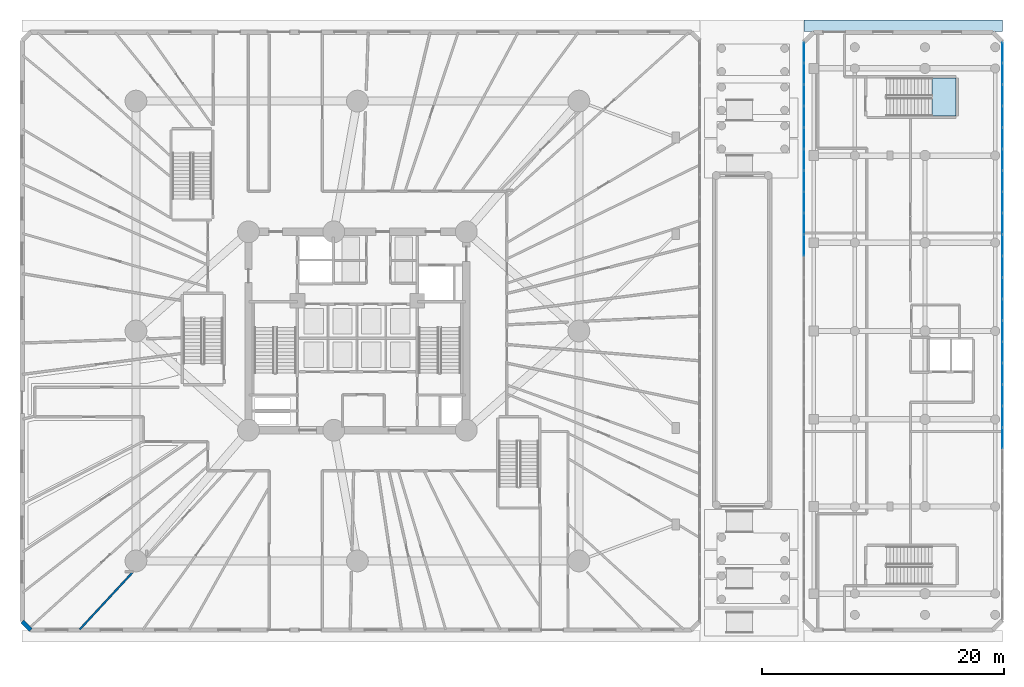
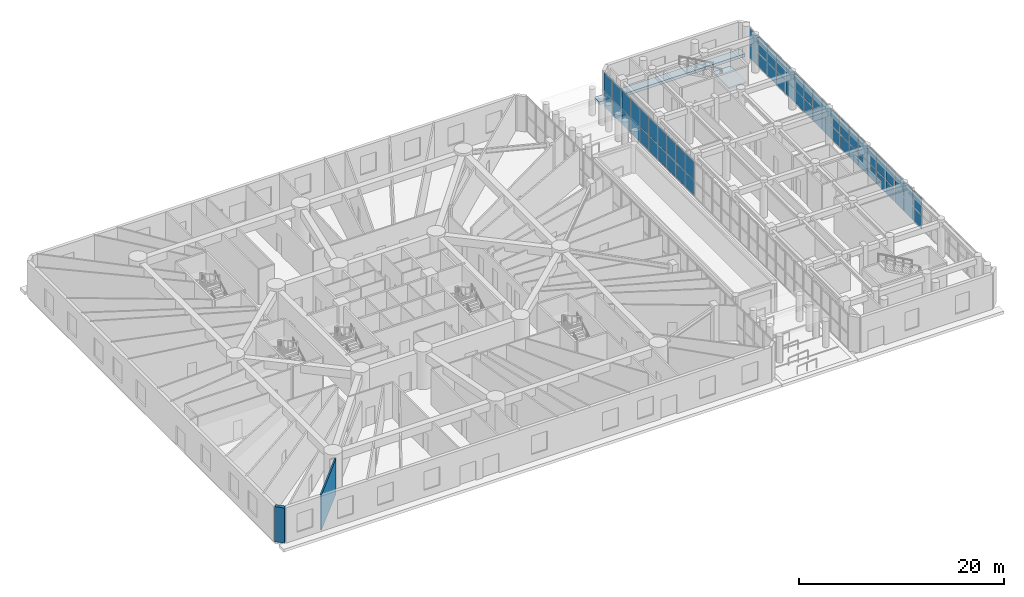
# One storey, part 12 of 30: 58 plates, 2 slabs, 2 walls, 3 elements without a shape of their own.
"""IFC4 building model written with IfcOpenShell, lengths in metres."""

from ifc_helpers import new_model, si_unit, direction, frame, frame_2d, origin, origin_with_axes, origin_2d, place, context, subcontext, project, spatial, polyline, rectangle, outline, extrude, source, transform, mapped, material, layer, layer_set, type_object, element, aggregate, save


model = new_model("IFC4")

# Units and contexts
model_context = context("Model", 3, precision=1e-05, world=origin(), true_north=direction((0.0, 1.0)))
body_context = subcontext(model_context, "Body", "Model", "MODEL_VIEW")
ifc_project = project(units=[si_unit("LENGTHUNIT", "METRE"), si_unit("AREAUNIT", "SQUARE_METRE"), si_unit("VOLUMEUNIT", "CUBIC_METRE"), si_unit("PLANEANGLEUNIT", "RADIAN"), si_unit("MASSUNIT", "GRAM", prefix="KILO")], contexts=[model_context])

# Site, building, storey
site_placement = place(None, origin())
site = spatial("IfcSite", under=ifc_project, at=site_placement, CompositionType="ELEMENT")
building_placement = place(site_placement, origin())
building = spatial("IfcBuilding", under=site, at=building_placement, Name="Karkom Vertical University and Central Library", CompositionType="ELEMENT")
storey_placement = place(building_placement, origin())
storey = spatial("IfcBuildingStorey", under=building, at=storey_placement, Name="L00", CompositionType="ELEMENT", Elevation=0.0)

# Stair, slab
ifc_material_1 = material(Name="Concrete C45/55", Category="concrete")
stair_type = type_object("IfcStairType", Name="INT-STR-ST-LIB", PredefinedType="HALF_TURN_STAIR", material=ifc_material_1)
stair_placement = place(storey_placement, origin())
stair = element("IfcStair", 1, at=stair_placement, inside=storey, type_object=stair_type, Name="Level 00 Central Library North Exit Stair LIB-ST2", PredefinedType="HALF_TURN_STAIR")
ifc_layer_1 = layer(ifc_material_1, 0.199951171875)
ifc_layer_set_1 = layer_set([ifc_layer_1], Name="Concrete C45/55")
slab_type_1 = type_object("IfcSlabType", Name="INT-SLB-LANDING", PredefinedType="LANDING", material=ifc_layer_set_1)
slab_1_placement = place(storey_placement, frame((0.0, 0.0, 2.050048828125)))
slab_1 = element("IfcSlab", 2, at=slab_1_placement, type_object=slab_type_1, Name="LIB-ST2 landing 1", PredefinedType="LANDING", context=body_context, shape_type="SweptSolid", body=[
    extrude(outline(polyline([(75.969970703125, 44.25), (77.949951171875, 44.25), (77.949951171875, 47.409912109375), (75.969970703125, 47.409912109375), (75.969970703125, 44.25)])), origin(), (0.0, 0.0, 1.0), 0.199951171875),
])
aggregate(stair, [slab_1])

# Slab
ifc_material_2 = material(Name="Concrete C40/50", Category="concrete")
ifc_layer_2 = layer(ifc_material_2, 0.340087890625)
ifc_layer_set_2 = layer_set([ifc_layer_2], Name="Concrete C40/50")
slab_type_2 = type_object("IfcSlabType", Name="STR-SLB-PAV-190", PredefinedType="USERDEFINED", material=ifc_layer_set_2)
slab_2_placement = place(storey_placement, frame((0.0, 0.0, -0.340087890625)))
element("IfcSlab", 3, at=slab_2_placement, inside=storey, type_object=slab_type_2, Name="Level 00 Campus Forecourt Stone Plaza PLAZA-NORTH-LIB", ObjectType="PAVING", PredefinedType="USERDEFINED", context=body_context, shape_type="SweptSolid", body=[
    extrude(outline(polyline([(65.419921875, 51.239990234375), (65.419921875, 52.199951171875), (81.800048828125, 52.199951171875), (81.800048828125, 51.239990234375), (81.0166015625, 51.239990234375), (66.183349609375, 51.239990234375), (65.419921875, 51.239990234375)])), origin(), (0.0, 0.0, 1.0), 0.340087890625),
])

# Curtain wall, plates
ifc_material_3 = material(Name="Aluminium curtain-wall framing and low-E IGU", Category="aluminium")
ifc_layer_3 = layer(ifc_material_3, 0.199951171875)
ifc_layer_set_3 = layer_set([ifc_layer_3], Name="Aluminium curtain-wall framing and low-E IGU")
curtain_wall_type = type_object("IfcCurtainWallType", Name="ENV-CW-1", PredefinedType="USERDEFINED", material=ifc_layer_set_3)
curtain_wall_1_placement = place(storey_placement, origin())
curtain_wall_1 = element("IfcCurtainWall", 4, at=curtain_wall_1_placement, inside=storey, type_object=curtain_wall_type, Name="Level 00 CW-1 Curtain Wall L00-CW-1-LIB-3", ObjectType="STICK MULLION GLAZING", PredefinedType="USERDEFINED")
ifc_material_4 = material(Name="Solar-control low-E double glazing 28mm", Category="glass")
ifc_layer_4 = layer(ifc_material_4, 0.028076171875)
ifc_layer_set_4 = layer_set([ifc_layer_4], Name="Solar-control low-E double glazing 28mm")
plate_type = type_object("IfcPlateType", Name="ENV-PLT-GLZ-28", PredefinedType="CURTAIN_PANEL", material=ifc_layer_set_4)
shared_shape_1 = source(origin_with_axes(), body_context, "Body", "SweptSolid", [
    extrude(rectangle(XDim=1.665283203125, YDim=0.028076171875, at=origin_2d()), origin(), (0.0, 0.0, 1.0), 1.58251953125),
])
plate_1_placement = place(storey_placement, frame((81.800048828125, 49.497314453125, 0.070068359375), z_axis=(0.0, 0.0, 1.0), x_axis=(0.0, 1.0, 0.0)))
plate_1 = element("IfcPlate", 5, at=plate_1_placement, type_object=plate_type, Name="CW-1 panel 27.1", PredefinedType="CURTAIN_PANEL", context=body_context, shape_type="MappedRepresentation", body=[
    mapped(shared_shape_1, transform((0.0, 0.0, 0.0), scale=1.0)),
])
shared_shape_2 = source(origin_with_axes(), body_context, "Body", "SweptSolid", [
    extrude(rectangle(XDim=1.665283203125, YDim=0.028076171875, at=origin_2d()), origin(), (0.0, 0.0, 1.0), 1.95751953125),
])
plate_2_placement = place(storey_placement, frame((81.800048828125, 49.497314453125, 1.722412109375), z_axis=(0.0, 0.0, 1.0), x_axis=(0.0, 1.0, 0.0)))
plate_2 = element("IfcPlate", 6, at=plate_2_placement, type_object=plate_type, Name="CW-1 panel 27.2", PredefinedType="CURTAIN_PANEL", context=body_context, shape_type="MappedRepresentation", body=[
    mapped(shared_shape_2, transform((0.0, 0.0, 0.0), scale=1.0)),
])
shared_shape_3 = source(origin_with_axes(), body_context, "Body", "SweptSolid", [
    extrude(rectangle(XDim=1.700439453125, YDim=0.028076171875, at=origin_2d()), origin(), (0.0, 0.0, 1.0), 1.58251953125),
])
plate_3_placement = place(storey_placement, frame((81.800048828125, 17.648193359375, 0.070068359375), z_axis=(0.0, 0.0, 1.0), x_axis=(0.0, 1.0, 0.0)))
plate_3 = element("IfcPlate", 7, at=plate_3_placement, type_object=plate_type, Name="CW-1 panel 9.1", PredefinedType="CURTAIN_PANEL", context=body_context, shape_type="MappedRepresentation", body=[
    mapped(shared_shape_3, transform((0.0, 0.0, 0.0), scale=1.0)),
])
plate_4_placement = place(storey_placement, frame((81.800048828125, 19.41845703125, 0.070068359375), z_axis=(0.0, 0.0, 1.0), x_axis=(0.0, 1.0, 0.0)))
plate_4 = element("IfcPlate", 8, at=plate_4_placement, type_object=plate_type, Name="CW-1 panel 10.1", PredefinedType="CURTAIN_PANEL", context=body_context, shape_type="MappedRepresentation", body=[
    mapped(shared_shape_3, transform((0.0, 0.0, 0.0), scale=1.0)),
])
plate_5_placement = place(storey_placement, frame((81.800048828125, 21.18896484375, 0.070068359375), z_axis=(0.0, 0.0, 1.0), x_axis=(0.0, 1.0, 0.0)))
plate_5 = element("IfcPlate", 9, at=plate_5_placement, type_object=plate_type, Name="CW-1 panel 11.1", PredefinedType="CURTAIN_PANEL", context=body_context, shape_type="MappedRepresentation", body=[
    mapped(shared_shape_3, transform((0.0, 0.0, 0.0), scale=1.0)),
])
plate_6_placement = place(storey_placement, frame((81.800048828125, 22.959228515625, 0.070068359375), z_axis=(0.0, 0.0, 1.0), x_axis=(0.0, 1.0, 0.0)))
plate_6 = element("IfcPlate", 10, at=plate_6_placement, type_object=plate_type, Name="CW-1 panel 12.1", PredefinedType="CURTAIN_PANEL", context=body_context, shape_type="MappedRepresentation", body=[
    mapped(shared_shape_3, transform((0.0, 0.0, 0.0), scale=1.0)),
])
plate_7_placement = place(storey_placement, frame((81.800048828125, 24.729736328125, 0.070068359375), z_axis=(0.0, 0.0, 1.0), x_axis=(0.0, 1.0, 0.0)))
plate_7 = element("IfcPlate", 11, at=plate_7_placement, type_object=plate_type, Name="CW-1 panel 13.1", PredefinedType="CURTAIN_PANEL", context=body_context, shape_type="MappedRepresentation", body=[
    mapped(shared_shape_3, transform((0.0, 0.0, 0.0), scale=1.0)),
])
plate_8_placement = place(storey_placement, frame((81.800048828125, 26.5, 0.070068359375), z_axis=(0.0, 0.0, 1.0), x_axis=(0.0, 1.0, 0.0)))
plate_8 = element("IfcPlate", 12, at=plate_8_placement, type_object=plate_type, Name="CW-1 panel 14.1", PredefinedType="CURTAIN_PANEL", context=body_context, shape_type="MappedRepresentation", body=[
    mapped(shared_shape_3, transform((0.0, 0.0, 0.0), scale=1.0)),
])
plate_9_placement = place(storey_placement, frame((81.800048828125, 28.270263671875, 0.070068359375), z_axis=(0.0, 0.0, 1.0), x_axis=(0.0, 1.0, 0.0)))
plate_9 = element("IfcPlate", 13, at=plate_9_placement, type_object=plate_type, Name="CW-1 panel 15.1", PredefinedType="CURTAIN_PANEL", context=body_context, shape_type="MappedRepresentation", body=[
    mapped(shared_shape_3, transform((0.0, 0.0, 0.0), scale=1.0)),
])
plate_10_placement = place(storey_placement, frame((81.800048828125, 30.040771484375, 0.070068359375), z_axis=(0.0, 0.0, 1.0), x_axis=(0.0, 1.0, 0.0)))
plate_10 = element("IfcPlate", 14, at=plate_10_placement, type_object=plate_type, Name="CW-1 panel 16.1", PredefinedType="CURTAIN_PANEL", context=body_context, shape_type="MappedRepresentation", body=[
    mapped(shared_shape_3, transform((0.0, 0.0, 0.0), scale=1.0)),
])
plate_11_placement = place(storey_placement, frame((81.800048828125, 31.81103515625, 0.070068359375), z_axis=(0.0, 0.0, 1.0), x_axis=(0.0, 1.0, 0.0)))
plate_11 = element("IfcPlate", 15, at=plate_11_placement, type_object=plate_type, Name="CW-1 panel 17.1", PredefinedType="CURTAIN_PANEL", context=body_context, shape_type="MappedRepresentation", body=[
    mapped(shared_shape_3, transform((0.0, 0.0, 0.0), scale=1.0)),
])
plate_12_placement = place(storey_placement, frame((81.800048828125, 33.58154296875, 0.070068359375), z_axis=(0.0, 0.0, 1.0), x_axis=(0.0, 1.0, 0.0)))
plate_12 = element("IfcPlate", 16, at=plate_12_placement, type_object=plate_type, Name="CW-1 panel 18.1", PredefinedType="CURTAIN_PANEL", context=body_context, shape_type="MappedRepresentation", body=[
    mapped(shared_shape_3, transform((0.0, 0.0, 0.0), scale=1.0)),
])
plate_13_placement = place(storey_placement, frame((81.800048828125, 35.351806640625, 0.070068359375), z_axis=(0.0, 0.0, 1.0), x_axis=(0.0, 1.0, 0.0)))
plate_13 = element("IfcPlate", 17, at=plate_13_placement, type_object=plate_type, Name="CW-1 panel 19.1", PredefinedType="CURTAIN_PANEL", context=body_context, shape_type="MappedRepresentation", body=[
    mapped(shared_shape_3, transform((0.0, 0.0, 0.0), scale=1.0)),
])
plate_14_placement = place(storey_placement, frame((81.800048828125, 37.122314453125, 0.070068359375), z_axis=(0.0, 0.0, 1.0), x_axis=(0.0, 1.0, 0.0)))
plate_14 = element("IfcPlate", 18, at=plate_14_placement, type_object=plate_type, Name="CW-1 panel 20.1", PredefinedType="CURTAIN_PANEL", context=body_context, shape_type="MappedRepresentation", body=[
    mapped(shared_shape_3, transform((0.0, 0.0, 0.0), scale=1.0)),
])
plate_15_placement = place(storey_placement, frame((81.800048828125, 38.892578125, 0.070068359375), z_axis=(0.0, 0.0, 1.0), x_axis=(0.0, 1.0, 0.0)))
plate_15 = element("IfcPlate", 19, at=plate_15_placement, type_object=plate_type, Name="CW-1 panel 21.1", PredefinedType="CURTAIN_PANEL", context=body_context, shape_type="MappedRepresentation", body=[
    mapped(shared_shape_3, transform((0.0, 0.0, 0.0), scale=1.0)),
])
plate_16_placement = place(storey_placement, frame((81.800048828125, 40.662841796875, 0.070068359375), z_axis=(0.0, 0.0, 1.0), x_axis=(0.0, 1.0, 0.0)))
plate_16 = element("IfcPlate", 20, at=plate_16_placement, type_object=plate_type, Name="CW-1 panel 22.1", PredefinedType="CURTAIN_PANEL", context=body_context, shape_type="MappedRepresentation", body=[
    mapped(shared_shape_3, transform((0.0, 0.0, 0.0), scale=1.0)),
])
plate_17_placement = place(storey_placement, frame((81.800048828125, 42.433349609375, 0.070068359375), z_axis=(0.0, 0.0, 1.0), x_axis=(0.0, 1.0, 0.0)))
plate_17 = element("IfcPlate", 21, at=plate_17_placement, type_object=plate_type, Name="CW-1 panel 23.1", PredefinedType="CURTAIN_PANEL", context=body_context, shape_type="MappedRepresentation", body=[
    mapped(shared_shape_3, transform((0.0, 0.0, 0.0), scale=1.0)),
])
plate_18_placement = place(storey_placement, frame((81.800048828125, 44.20361328125, 0.070068359375), z_axis=(0.0, 0.0, 1.0), x_axis=(0.0, 1.0, 0.0)))
plate_18 = element("IfcPlate", 22, at=plate_18_placement, type_object=plate_type, Name="CW-1 panel 24.1", PredefinedType="CURTAIN_PANEL", context=body_context, shape_type="MappedRepresentation", body=[
    mapped(shared_shape_3, transform((0.0, 0.0, 0.0), scale=1.0)),
])
plate_19_placement = place(storey_placement, frame((81.800048828125, 45.97412109375, 0.070068359375), z_axis=(0.0, 0.0, 1.0), x_axis=(0.0, 1.0, 0.0)))
plate_19 = element("IfcPlate", 23, at=plate_19_placement, type_object=plate_type, Name="CW-1 panel 25.1", PredefinedType="CURTAIN_PANEL", context=body_context, shape_type="MappedRepresentation", body=[
    mapped(shared_shape_3, transform((0.0, 0.0, 0.0), scale=1.0)),
])
plate_20_placement = place(storey_placement, frame((81.800048828125, 47.744384765625, 0.070068359375), z_axis=(0.0, 0.0, 1.0), x_axis=(0.0, 1.0, 0.0)))
plate_20 = element("IfcPlate", 24, at=plate_20_placement, type_object=plate_type, Name="CW-1 panel 26.1", PredefinedType="CURTAIN_PANEL", context=body_context, shape_type="MappedRepresentation", body=[
    mapped(shared_shape_3, transform((0.0, 0.0, 0.0), scale=1.0)),
])
shared_shape_4 = source(origin_with_axes(), body_context, "Body", "SweptSolid", [
    extrude(rectangle(XDim=1.700439453125, YDim=0.028076171875, at=origin_2d()), origin(), (0.0, 0.0, 1.0), 1.95751953125),
])
plate_21_placement = place(storey_placement, frame((81.800048828125, 17.648193359375, 1.722412109375), z_axis=(0.0, 0.0, 1.0), x_axis=(0.0, 1.0, 0.0)))
plate_21 = element("IfcPlate", 25, at=plate_21_placement, type_object=plate_type, Name="CW-1 panel 9.2", PredefinedType="CURTAIN_PANEL", context=body_context, shape_type="MappedRepresentation", body=[
    mapped(shared_shape_4, transform((0.0, 0.0, 0.0), scale=1.0)),
])
plate_22_placement = place(storey_placement, frame((81.800048828125, 19.41845703125, 1.722412109375), z_axis=(0.0, 0.0, 1.0), x_axis=(0.0, 1.0, 0.0)))
plate_22 = element("IfcPlate", 26, at=plate_22_placement, type_object=plate_type, Name="CW-1 panel 10.2", PredefinedType="CURTAIN_PANEL", context=body_context, shape_type="MappedRepresentation", body=[
    mapped(shared_shape_4, transform((0.0, 0.0, 0.0), scale=1.0)),
])
plate_23_placement = place(storey_placement, frame((81.800048828125, 21.18896484375, 1.722412109375), z_axis=(0.0, 0.0, 1.0), x_axis=(0.0, 1.0, 0.0)))
plate_23 = element("IfcPlate", 27, at=plate_23_placement, type_object=plate_type, Name="CW-1 panel 11.2", PredefinedType="CURTAIN_PANEL", context=body_context, shape_type="MappedRepresentation", body=[
    mapped(shared_shape_4, transform((0.0, 0.0, 0.0), scale=1.0)),
])
plate_24_placement = place(storey_placement, frame((81.800048828125, 22.959228515625, 1.722412109375), z_axis=(0.0, 0.0, 1.0), x_axis=(0.0, 1.0, 0.0)))
plate_24 = element("IfcPlate", 28, at=plate_24_placement, type_object=plate_type, Name="CW-1 panel 12.2", PredefinedType="CURTAIN_PANEL", context=body_context, shape_type="MappedRepresentation", body=[
    mapped(shared_shape_4, transform((0.0, 0.0, 0.0), scale=1.0)),
])
plate_25_placement = place(storey_placement, frame((81.800048828125, 24.729736328125, 1.722412109375), z_axis=(0.0, 0.0, 1.0), x_axis=(0.0, 1.0, 0.0)))
plate_25 = element("IfcPlate", 29, at=plate_25_placement, type_object=plate_type, Name="CW-1 panel 13.2", PredefinedType="CURTAIN_PANEL", context=body_context, shape_type="MappedRepresentation", body=[
    mapped(shared_shape_4, transform((0.0, 0.0, 0.0), scale=1.0)),
])
plate_26_placement = place(storey_placement, frame((81.800048828125, 26.5, 1.722412109375), z_axis=(0.0, 0.0, 1.0), x_axis=(0.0, 1.0, 0.0)))
plate_26 = element("IfcPlate", 30, at=plate_26_placement, type_object=plate_type, Name="CW-1 panel 14.2", PredefinedType="CURTAIN_PANEL", context=body_context, shape_type="MappedRepresentation", body=[
    mapped(shared_shape_4, transform((0.0, 0.0, 0.0), scale=1.0)),
])
plate_27_placement = place(storey_placement, frame((81.800048828125, 28.270263671875, 1.722412109375), z_axis=(0.0, 0.0, 1.0), x_axis=(0.0, 1.0, 0.0)))
plate_27 = element("IfcPlate", 31, at=plate_27_placement, type_object=plate_type, Name="CW-1 panel 15.2", PredefinedType="CURTAIN_PANEL", context=body_context, shape_type="MappedRepresentation", body=[
    mapped(shared_shape_4, transform((0.0, 0.0, 0.0), scale=1.0)),
])
plate_28_placement = place(storey_placement, frame((81.800048828125, 30.040771484375, 1.722412109375), z_axis=(0.0, 0.0, 1.0), x_axis=(0.0, 1.0, 0.0)))
plate_28 = element("IfcPlate", 32, at=plate_28_placement, type_object=plate_type, Name="CW-1 panel 16.2", PredefinedType="CURTAIN_PANEL", context=body_context, shape_type="MappedRepresentation", body=[
    mapped(shared_shape_4, transform((0.0, 0.0, 0.0), scale=1.0)),
])
plate_29_placement = place(storey_placement, frame((81.800048828125, 31.81103515625, 1.722412109375), z_axis=(0.0, 0.0, 1.0), x_axis=(0.0, 1.0, 0.0)))
plate_29 = element("IfcPlate", 33, at=plate_29_placement, type_object=plate_type, Name="CW-1 panel 17.2", PredefinedType="CURTAIN_PANEL", context=body_context, shape_type="MappedRepresentation", body=[
    mapped(shared_shape_4, transform((0.0, 0.0, 0.0), scale=1.0)),
])
plate_30_placement = place(storey_placement, frame((81.800048828125, 33.58154296875, 1.722412109375), z_axis=(0.0, 0.0, 1.0), x_axis=(0.0, 1.0, 0.0)))
plate_30 = element("IfcPlate", 34, at=plate_30_placement, type_object=plate_type, Name="CW-1 panel 18.2", PredefinedType="CURTAIN_PANEL", context=body_context, shape_type="MappedRepresentation", body=[
    mapped(shared_shape_4, transform((0.0, 0.0, 0.0), scale=1.0)),
])
plate_31_placement = place(storey_placement, frame((81.800048828125, 35.351806640625, 1.722412109375), z_axis=(0.0, 0.0, 1.0), x_axis=(0.0, 1.0, 0.0)))
plate_31 = element("IfcPlate", 35, at=plate_31_placement, type_object=plate_type, Name="CW-1 panel 19.2", PredefinedType="CURTAIN_PANEL", context=body_context, shape_type="MappedRepresentation", body=[
    mapped(shared_shape_4, transform((0.0, 0.0, 0.0), scale=1.0)),
])
plate_32_placement = place(storey_placement, frame((81.800048828125, 37.122314453125, 1.722412109375), z_axis=(0.0, 0.0, 1.0), x_axis=(0.0, 1.0, 0.0)))
plate_32 = element("IfcPlate", 36, at=plate_32_placement, type_object=plate_type, Name="CW-1 panel 20.2", PredefinedType="CURTAIN_PANEL", context=body_context, shape_type="MappedRepresentation", body=[
    mapped(shared_shape_4, transform((0.0, 0.0, 0.0), scale=1.0)),
])
plate_33_placement = place(storey_placement, frame((81.800048828125, 38.892578125, 1.722412109375), z_axis=(0.0, 0.0, 1.0), x_axis=(0.0, 1.0, 0.0)))
plate_33 = element("IfcPlate", 37, at=plate_33_placement, type_object=plate_type, Name="CW-1 panel 21.2", PredefinedType="CURTAIN_PANEL", context=body_context, shape_type="MappedRepresentation", body=[
    mapped(shared_shape_4, transform((0.0, 0.0, 0.0), scale=1.0)),
])
plate_34_placement = place(storey_placement, frame((81.800048828125, 40.662841796875, 1.722412109375), z_axis=(0.0, 0.0, 1.0), x_axis=(0.0, 1.0, 0.0)))
plate_34 = element("IfcPlate", 38, at=plate_34_placement, type_object=plate_type, Name="CW-1 panel 22.2", PredefinedType="CURTAIN_PANEL", context=body_context, shape_type="MappedRepresentation", body=[
    mapped(shared_shape_4, transform((0.0, 0.0, 0.0), scale=1.0)),
])
plate_35_placement = place(storey_placement, frame((81.800048828125, 42.433349609375, 1.722412109375), z_axis=(0.0, 0.0, 1.0), x_axis=(0.0, 1.0, 0.0)))
plate_35 = element("IfcPlate", 39, at=plate_35_placement, type_object=plate_type, Name="CW-1 panel 23.2", PredefinedType="CURTAIN_PANEL", context=body_context, shape_type="MappedRepresentation", body=[
    mapped(shared_shape_4, transform((0.0, 0.0, 0.0), scale=1.0)),
])
plate_36_placement = place(storey_placement, frame((81.800048828125, 44.20361328125, 1.722412109375), z_axis=(0.0, 0.0, 1.0), x_axis=(0.0, 1.0, 0.0)))
plate_36 = element("IfcPlate", 40, at=plate_36_placement, type_object=plate_type, Name="CW-1 panel 24.2", PredefinedType="CURTAIN_PANEL", context=body_context, shape_type="MappedRepresentation", body=[
    mapped(shared_shape_4, transform((0.0, 0.0, 0.0), scale=1.0)),
])
plate_37_placement = place(storey_placement, frame((81.800048828125, 45.97412109375, 1.722412109375), z_axis=(0.0, 0.0, 1.0), x_axis=(0.0, 1.0, 0.0)))
plate_37 = element("IfcPlate", 41, at=plate_37_placement, type_object=plate_type, Name="CW-1 panel 25.2", PredefinedType="CURTAIN_PANEL", context=body_context, shape_type="MappedRepresentation", body=[
    mapped(shared_shape_4, transform((0.0, 0.0, 0.0), scale=1.0)),
])
plate_38_placement = place(storey_placement, frame((81.800048828125, 47.744384765625, 1.722412109375), z_axis=(0.0, 0.0, 1.0), x_axis=(0.0, 1.0, 0.0)))
plate_38 = element("IfcPlate", 42, at=plate_38_placement, type_object=plate_type, Name="CW-1 panel 26.2", PredefinedType="CURTAIN_PANEL", context=body_context, shape_type="MappedRepresentation", body=[
    mapped(shared_shape_4, transform((0.0, 0.0, 0.0), scale=1.0)),
])
aggregate(curtain_wall_1, [plate_3, plate_21, plate_4, plate_22, plate_5, plate_23, plate_6, plate_24, plate_7, plate_25, plate_8, plate_26, plate_9, plate_27, plate_10, plate_28, plate_11, plate_29, plate_12, plate_30, plate_13, plate_31, plate_14, plate_32, plate_15, plate_33, plate_16, plate_34, plate_17, plate_35, plate_18, plate_36, plate_19, plate_37, plate_20, plate_38, plate_1, plate_2])

curtain_wall_2_placement = place(storey_placement, origin())
curtain_wall_2 = element("IfcCurtainWall", 43, at=curtain_wall_2_placement, inside=storey, type_object=curtain_wall_type, Name="Level 00 CW-1 Curtain Wall L00-CW-1-LIB-7", ObjectType="STICK MULLION GLAZING", PredefinedType="USERDEFINED")
shared_shape_5 = source(origin_with_axes(), body_context, "Body", "SweptSolid", [
    extrude(rectangle(XDim=1.665283203125, YDim=0.028076171875, at=origin_2d()), origin(), (0.0, 0.0, 1.0), 1.784912109375),
])
plate_39_placement = place(storey_placement, frame((65.39990234375, 49.497314453125, 0.06982421875), z_axis=(0.0, 0.0, 1.0), x_axis=(0.0, -1.0, 0.0)))
plate_39 = element("IfcPlate", 44, at=plate_39_placement, type_object=plate_type, Name="CW-1 panel 1.1", PredefinedType="CURTAIN_PANEL", context=body_context, shape_type="MappedRepresentation", body=[
    mapped(shared_shape_5, transform((0.0, 0.0, 0.0), scale=1.0)),
])
shared_shape_6 = source(origin_with_axes(), body_context, "Body", "SweptSolid", [
    extrude(rectangle(XDim=1.665283203125, YDim=0.028076171875, at=origin_2d()), origin(), (0.0, 0.0, 1.0), 2.205078125),
])
plate_40_placement = place(storey_placement, frame((65.39990234375, 49.497314453125, 1.925048828125), z_axis=(0.0, 0.0, 1.0), x_axis=(0.0, -1.0, 0.0)))
plate_40 = element("IfcPlate", 45, at=plate_40_placement, type_object=plate_type, Name="CW-1 panel 1.2", PredefinedType="CURTAIN_PANEL", context=body_context, shape_type="MappedRepresentation", body=[
    mapped(shared_shape_6, transform((0.0, 0.0, 0.0), scale=1.0)),
])
shared_shape_7 = source(origin_with_axes(), body_context, "Body", "SweptSolid", [
    extrude(rectangle(XDim=1.700439453125, YDim=0.028076171875, at=origin_2d()), origin(), (0.0, 0.0, 1.0), 1.784912109375),
])
plate_41_placement = place(storey_placement, frame((65.39990234375, 47.744384765625, 0.06982421875), z_axis=(0.0, 0.0, 1.0), x_axis=(0.0, -1.0, 0.0)))
plate_41 = element("IfcPlate", 46, at=plate_41_placement, type_object=plate_type, Name="CW-1 panel 2.1", PredefinedType="CURTAIN_PANEL", context=body_context, shape_type="MappedRepresentation", body=[
    mapped(shared_shape_7, transform((0.0, 0.0, 0.0), scale=1.0)),
])
plate_42_placement = place(storey_placement, frame((65.39990234375, 45.97412109375, 0.06982421875), z_axis=(0.0, 0.0, 1.0), x_axis=(0.0, -1.0, 0.0)))
plate_42 = element("IfcPlate", 47, at=plate_42_placement, type_object=plate_type, Name="CW-1 panel 3.1", PredefinedType="CURTAIN_PANEL", context=body_context, shape_type="MappedRepresentation", body=[
    mapped(shared_shape_7, transform((0.0, 0.0, 0.0), scale=1.0)),
])
plate_43_placement = place(storey_placement, frame((65.39990234375, 44.20361328125, 0.06982421875), z_axis=(0.0, 0.0, 1.0), x_axis=(0.0, -1.0, 0.0)))
plate_43 = element("IfcPlate", 48, at=plate_43_placement, type_object=plate_type, Name="CW-1 panel 4.1", PredefinedType="CURTAIN_PANEL", context=body_context, shape_type="MappedRepresentation", body=[
    mapped(shared_shape_7, transform((0.0, 0.0, 0.0), scale=1.0)),
])
plate_44_placement = place(storey_placement, frame((65.39990234375, 42.433349609375, 0.06982421875), z_axis=(0.0, 0.0, 1.0), x_axis=(0.0, -1.0, 0.0)))
plate_44 = element("IfcPlate", 49, at=plate_44_placement, type_object=plate_type, Name="CW-1 panel 5.1", PredefinedType="CURTAIN_PANEL", context=body_context, shape_type="MappedRepresentation", body=[
    mapped(shared_shape_7, transform((0.0, 0.0, 0.0), scale=1.0)),
])
plate_45_placement = place(storey_placement, frame((65.39990234375, 40.662841796875, 0.06982421875), z_axis=(0.0, 0.0, 1.0), x_axis=(0.0, -1.0, 0.0)))
plate_45 = element("IfcPlate", 50, at=plate_45_placement, type_object=plate_type, Name="CW-1 panel 6.1", PredefinedType="CURTAIN_PANEL", context=body_context, shape_type="MappedRepresentation", body=[
    mapped(shared_shape_7, transform((0.0, 0.0, 0.0), scale=1.0)),
])
plate_46_placement = place(storey_placement, frame((65.39990234375, 38.892578125, 0.06982421875), z_axis=(0.0, 0.0, 1.0), x_axis=(0.0, -1.0, 0.0)))
plate_46 = element("IfcPlate", 51, at=plate_46_placement, type_object=plate_type, Name="CW-1 panel 7.1", PredefinedType="CURTAIN_PANEL", context=body_context, shape_type="MappedRepresentation", body=[
    mapped(shared_shape_7, transform((0.0, 0.0, 0.0), scale=1.0)),
])
plate_47_placement = place(storey_placement, frame((65.39990234375, 37.122314453125, 0.06982421875), z_axis=(0.0, 0.0, 1.0), x_axis=(0.0, -1.0, 0.0)))
plate_47 = element("IfcPlate", 52, at=plate_47_placement, type_object=plate_type, Name="CW-1 panel 8.1", PredefinedType="CURTAIN_PANEL", context=body_context, shape_type="MappedRepresentation", body=[
    mapped(shared_shape_7, transform((0.0, 0.0, 0.0), scale=1.0)),
])
plate_48_placement = place(storey_placement, frame((65.39990234375, 35.351806640625, 0.06982421875), z_axis=(0.0, 0.0, 1.0), x_axis=(0.0, -1.0, 0.0)))
plate_48 = element("IfcPlate", 53, at=plate_48_placement, type_object=plate_type, Name="CW-1 panel 9.1", PredefinedType="CURTAIN_PANEL", context=body_context, shape_type="MappedRepresentation", body=[
    mapped(shared_shape_7, transform((0.0, 0.0, 0.0), scale=1.0)),
])
plate_49_placement = place(storey_placement, frame((65.39990234375, 33.58154296875, 0.06982421875), z_axis=(0.0, 0.0, 1.0), x_axis=(0.0, -1.0, 0.0)))
plate_49 = element("IfcPlate", 54, at=plate_49_placement, type_object=plate_type, Name="CW-1 panel 10.1", PredefinedType="CURTAIN_PANEL", context=body_context, shape_type="MappedRepresentation", body=[
    mapped(shared_shape_7, transform((0.0, 0.0, 0.0), scale=1.0)),
])
shared_shape_8 = source(origin_with_axes(), body_context, "Body", "SweptSolid", [
    extrude(rectangle(XDim=1.700439453125, YDim=0.028076171875, at=origin_2d()), origin(), (0.0, 0.0, 1.0), 2.205078125),
])
plate_50_placement = place(storey_placement, frame((65.39990234375, 47.744384765625, 1.925048828125), z_axis=(0.0, 0.0, 1.0), x_axis=(0.0, -1.0, 0.0)))
plate_50 = element("IfcPlate", 55, at=plate_50_placement, type_object=plate_type, Name="CW-1 panel 2.2", PredefinedType="CURTAIN_PANEL", context=body_context, shape_type="MappedRepresentation", body=[
    mapped(shared_shape_8, transform((0.0, 0.0, 0.0), scale=1.0)),
])
plate_51_placement = place(storey_placement, frame((65.39990234375, 45.97412109375, 1.925048828125), z_axis=(0.0, 0.0, 1.0), x_axis=(0.0, -1.0, 0.0)))
plate_51 = element("IfcPlate", 56, at=plate_51_placement, type_object=plate_type, Name="CW-1 panel 3.2", PredefinedType="CURTAIN_PANEL", context=body_context, shape_type="MappedRepresentation", body=[
    mapped(shared_shape_8, transform((0.0, 0.0, 0.0), scale=1.0)),
])
plate_52_placement = place(storey_placement, frame((65.39990234375, 44.20361328125, 1.925048828125), z_axis=(0.0, 0.0, 1.0), x_axis=(0.0, -1.0, 0.0)))
plate_52 = element("IfcPlate", 57, at=plate_52_placement, type_object=plate_type, Name="CW-1 panel 4.2", PredefinedType="CURTAIN_PANEL", context=body_context, shape_type="MappedRepresentation", body=[
    mapped(shared_shape_8, transform((0.0, 0.0, 0.0), scale=1.0)),
])
plate_53_placement = place(storey_placement, frame((65.39990234375, 42.433349609375, 1.925048828125), z_axis=(0.0, 0.0, 1.0), x_axis=(0.0, -1.0, 0.0)))
plate_53 = element("IfcPlate", 58, at=plate_53_placement, type_object=plate_type, Name="CW-1 panel 5.2", PredefinedType="CURTAIN_PANEL", context=body_context, shape_type="MappedRepresentation", body=[
    mapped(shared_shape_8, transform((0.0, 0.0, 0.0), scale=1.0)),
])
plate_54_placement = place(storey_placement, frame((65.39990234375, 40.662841796875, 1.925048828125), z_axis=(0.0, 0.0, 1.0), x_axis=(0.0, -1.0, 0.0)))
plate_54 = element("IfcPlate", 59, at=plate_54_placement, type_object=plate_type, Name="CW-1 panel 6.2", PredefinedType="CURTAIN_PANEL", context=body_context, shape_type="MappedRepresentation", body=[
    mapped(shared_shape_8, transform((0.0, 0.0, 0.0), scale=1.0)),
])
plate_55_placement = place(storey_placement, frame((65.39990234375, 38.892578125, 1.925048828125), z_axis=(0.0, 0.0, 1.0), x_axis=(0.0, -1.0, 0.0)))
plate_55 = element("IfcPlate", 60, at=plate_55_placement, type_object=plate_type, Name="CW-1 panel 7.2", PredefinedType="CURTAIN_PANEL", context=body_context, shape_type="MappedRepresentation", body=[
    mapped(shared_shape_8, transform((0.0, 0.0, 0.0), scale=1.0)),
])
plate_56_placement = place(storey_placement, frame((65.39990234375, 37.122314453125, 1.925048828125), z_axis=(0.0, 0.0, 1.0), x_axis=(0.0, -1.0, 0.0)))
plate_56 = element("IfcPlate", 61, at=plate_56_placement, type_object=plate_type, Name="CW-1 panel 8.2", PredefinedType="CURTAIN_PANEL", context=body_context, shape_type="MappedRepresentation", body=[
    mapped(shared_shape_8, transform((0.0, 0.0, 0.0), scale=1.0)),
])
plate_57_placement = place(storey_placement, frame((65.39990234375, 35.351806640625, 1.925048828125), z_axis=(0.0, 0.0, 1.0), x_axis=(0.0, -1.0, 0.0)))
plate_57 = element("IfcPlate", 62, at=plate_57_placement, type_object=plate_type, Name="CW-1 panel 9.2", PredefinedType="CURTAIN_PANEL", context=body_context, shape_type="MappedRepresentation", body=[
    mapped(shared_shape_8, transform((0.0, 0.0, 0.0), scale=1.0)),
])
plate_58_placement = place(storey_placement, frame((65.39990234375, 33.58154296875, 1.925048828125), z_axis=(0.0, 0.0, 1.0), x_axis=(0.0, -1.0, 0.0)))
plate_58 = element("IfcPlate", 63, at=plate_58_placement, type_object=plate_type, Name="CW-1 panel 10.2", PredefinedType="CURTAIN_PANEL", context=body_context, shape_type="MappedRepresentation", body=[
    mapped(shared_shape_8, transform((0.0, 0.0, 0.0), scale=1.0)),
])
aggregate(curtain_wall_2, [plate_39, plate_40, plate_41, plate_50, plate_42, plate_51, plate_43, plate_52, plate_44, plate_53, plate_45, plate_54, plate_46, plate_55, plate_47, plate_56, plate_48, plate_57, plate_49, plate_58])

# Walls
ifc_material_5 = material(Name="Brick masonry 360mm insulated cavity", Category="masonry")
ifc_layer_5 = layer(ifc_material_5, 0.360107421875)
ifc_layer_set_5 = layer_set([ifc_layer_5], Name="Brick masonry 360mm insulated cavity")
wall_type_1 = type_object("IfcWallType", Name="ENV-WL-BRK-360", PredefinedType="SOLIDWALL", material=ifc_layer_set_5)
wall_1_placement = place(storey_placement, frame((0.800048828125, 2.5, 0.0), z_axis=(0.0, 0.0, 1.0), x_axis=(0.707106781187, -0.707106781187, 0.0)))
element("IfcWall", 64, at=wall_1_placement, inside=storey, type_object=wall_type_1, Name="Level 00 POD Terracotta Brick Facade Wall 08", PredefinedType="SOLIDWALL", context=body_context, shape_type="SweptSolid", body=[
    extrude(rectangle(XDim=0.989990234375, YDim=0.360107421875, at=frame_2d((0.4951171875, 0.0))), origin(), (0.0, 0.0, 1.0), 4.199951171875),
])
ifc_material_6 = material(Name="Insulated metal-stud drywall 160mm", Category="gypsum")
ifc_layer_6 = layer(ifc_material_6, 0.159912109375)
ifc_layer_set_6 = layer_set([ifc_layer_6], Name="Insulated metal-stud drywall 160mm")
wall_type_2 = type_object("IfcWallType", Name="INT-WL-COR-160", PredefinedType="PARTITIONING", material=ifc_layer_set_6)
wall_2_placement = place(storey_placement, frame((9.897216796875, 6.528076171875, 0.0), z_axis=(0.0, 0.0, 1.0), x_axis=(-0.679977657187, -0.733232831866, 0.0)))
element("IfcWall", 65, at=wall_2_placement, inside=storey, type_object=wall_type_2, Name="Level 00 Interior Partition Wall L00-PODW-07-08-2", PredefinedType="PARTITIONING", context=body_context, shape_type="SweptSolid", body=[
    extrude(rectangle(XDim=6.390625, YDim=0.159912109375, at=frame_2d((3.1953125, 0.0))), origin(), (0.0, 0.0, 1.0), 4.199951171875),
])

save(model, "model.ifc")
